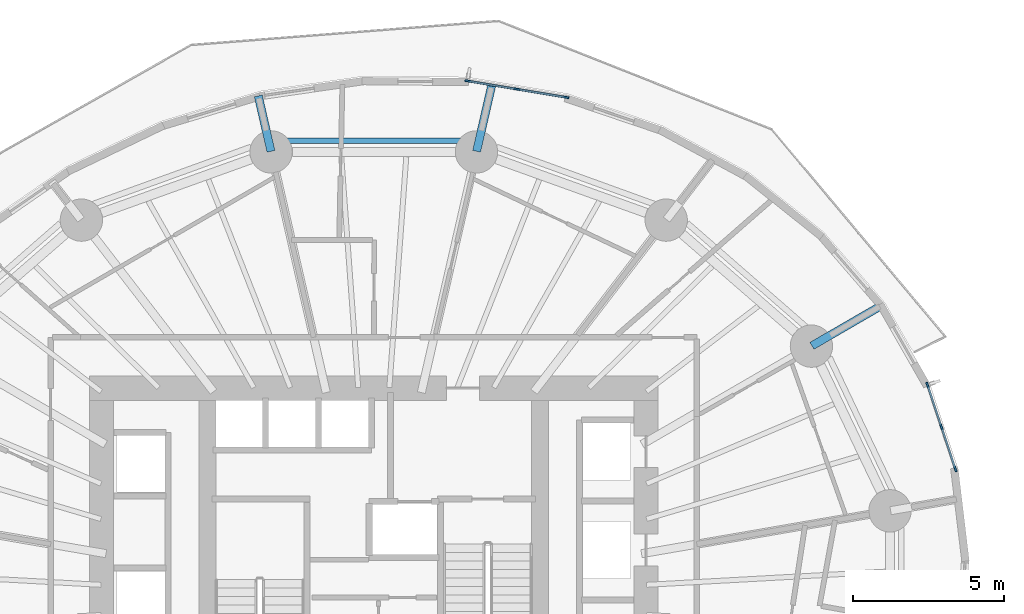
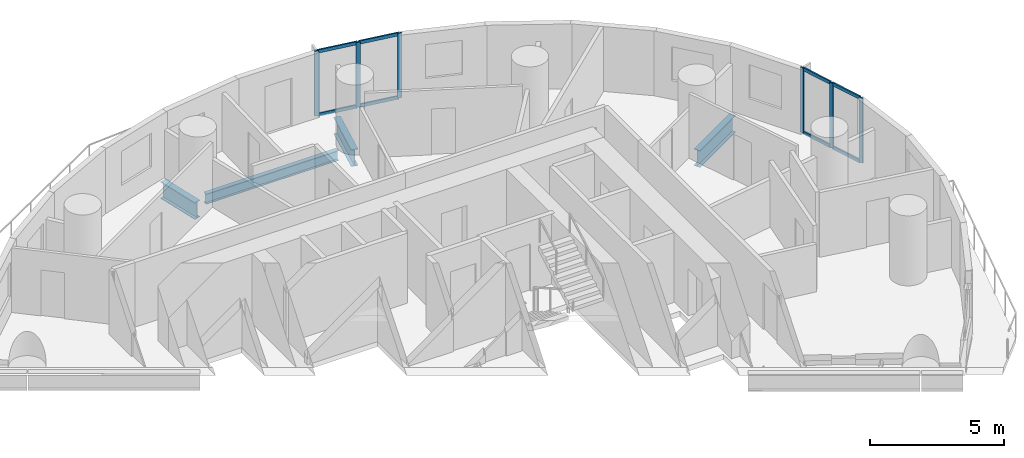
# One storey, part 3 of 13: 14 members, 4 beams, 2 elements without a shape of their own.
"""IFC4 building model written with IfcOpenShell, lengths in metres."""

from ifc_helpers import new_model, si_unit, direction, frame, origin, origin_2d, place, context, subcontext, project, spatial, rectangle, i_section, extrude, material, material_profile, profile_set, type_object, element, aggregate, save


model = new_model("IFC4")

# Units and contexts
model_context = context("Model", 3, precision=1e-05, world=origin(), true_north=direction((0.0, 1.0)))
body_context = subcontext(model_context, "Body", "Model", "MODEL_VIEW")
ifc_project = project(units=[si_unit("LENGTHUNIT", "METRE"), si_unit("AREAUNIT", "SQUARE_METRE"), si_unit("VOLUMEUNIT", "CUBIC_METRE"), si_unit("PLANEANGLEUNIT", "RADIAN"), si_unit("MASSUNIT", "GRAM", prefix="KILO")], contexts=[model_context])

# Site, building, storey
site_placement = place(None, origin())
site = spatial("IfcSite", under=ifc_project, at=site_placement, CompositionType="ELEMENT")
building_placement = place(site_placement, origin())
building = spatial("IfcBuilding", under=site, at=building_placement, Name="Veldorim Arch Residences", CompositionType="ELEMENT")
storey_placement = place(building_placement, frame((0.0, 0.0, 56.800048828125)))
storey = spatial("IfcBuildingStorey", under=building, at=storey_placement, Name="L16", CompositionType="ELEMENT", Elevation=56.800048828125)

# Beams
ifc_material_1 = material(Name="Steel S355", Category="steel")
ifc_material_profile_1 = material_profile(ifc_material_1, i_section(OverallWidth=0.26806640625, OverallDepth=0.769775390625, WebThickness=0.015625, FlangeThickness=0.025390625, at=origin_2d()), Name="UB762x267x197")
ifc_profile_set_1 = profile_set([ifc_material_profile_1], Name="Steel S355")
beam_type_1 = type_object("IfcBeamType", Name="Structural Steel GIRDER UB762x267x197", PredefinedType="USERDEFINED", material=ifc_profile_set_1)
beam_1_placement = place(storey_placement, frame((46.48486328125, 32.399169921875, -0.625), z_axis=(0.865102620341, 0.501594912534, 0.0), x_axis=(-0.501594912534, 0.865102620341, 0.0)))
element("IfcBeam", 1, at=beam_1_placement, inside=storey, type_object=beam_type_1, Name="L16 radial edge cantilever girder 02", ObjectType="GIRDER", PredefinedType="USERDEFINED", context=body_context, shape_type="SweptSolid", body=[
    extrude(i_section(OverallWidth=0.26806640625, OverallDepth=0.769775390625, WebThickness=0.015625, FlangeThickness=0.025390625, at=origin_2d()), origin(), (0.0, 0.0, 1.0), 2.669677734375),
])
beam_2_placement = place(storey_placement, frame((35.399169921875, 38.829345703125, -0.625), z_axis=(0.223363216183, 0.974735283888, 0.0), x_axis=(-0.974735283888, 0.223363216183, 0.0)))
element("IfcBeam", 2, at=beam_2_placement, inside=storey, type_object=beam_type_1, Name="L16 radial edge cantilever girder 04", ObjectType="GIRDER", PredefinedType="USERDEFINED", context=body_context, shape_type="SweptSolid", body=[
    extrude(i_section(OverallWidth=0.26806640625, OverallDepth=0.769775390625, WebThickness=0.015625, FlangeThickness=0.025390625, at=origin_2d()), origin(), (0.0, 0.0, 1.0), 2.24072265625),
])
beam_3_placement = place(storey_placement, frame((28.600830078125, 38.829345703125, -0.625), z_axis=(-0.223322154624, 0.974744692345, 0.0), x_axis=(-0.974744692345, -0.223322154624, 0.0)))
element("IfcBeam", 3, at=beam_3_placement, inside=storey, type_object=beam_type_1, Name="L16 radial edge cantilever girder 05", ObjectType="GIRDER", PredefinedType="USERDEFINED", context=body_context, shape_type="SweptSolid", body=[
    extrude(i_section(OverallWidth=0.26806640625, OverallDepth=0.769775390625, WebThickness=0.015625, FlangeThickness=0.025390625, at=origin_2d()), origin(), (0.0, 0.0, 1.0), 1.879150390625),
])
ifc_material_2 = material(Name="Steel S355", Category="steel")
ifc_material_profile_2 = material_profile(ifc_material_2, i_section(OverallWidth=0.19140625, OverallDepth=0.4599609375, WebThickness=0.010009765625, FlangeThickness=0.01611328125, at=origin_2d()), Name="UB457x191x82")
ifc_profile_set_2 = profile_set([ifc_material_profile_2], Name="Steel S355")
beam_type_2 = type_object("IfcBeamType", Name="Structural Steel Spandrel UB457x191x82", PredefinedType="SPANDREL", material=ifc_profile_set_2)
beam_4_placement = place(storey_placement, frame((34.863525390625, 39.180419921875, -0.489990234375), z_axis=(-1.0, 0.0, 0.0), x_axis=(0.0, -1.0, 0.0)))
element("IfcBeam", 4, at=beam_4_placement, inside=storey, type_object=beam_type_2, Name="L16 perimeter chord spandrel beam 04", PredefinedType="SPANDREL", context=body_context, shape_type="SweptSolid", body=[
    extrude(i_section(OverallWidth=0.19140625, OverallDepth=0.4599609375, WebThickness=0.010009765625, FlangeThickness=0.01611328125, at=origin_2d()), origin(), (0.0, 0.0, 1.0), 5.72705078125),
])

# Curtain wall, members
ifc_material_3 = material(Name="Aluminium", Category="aluminium")
curtain_wall_type = type_object("IfcCurtainWallType", Name="Zone 1 Acoustic Low-E Unitised Curtain Wall", PredefinedType="NOTDEFINED", material=ifc_material_3)
curtain_wall_1_placement = place(storey_placement, origin())
curtain_wall_1 = element("IfcCurtainWall", 5, at=curtain_wall_1_placement, inside=storey, type_object=curtain_wall_type, Name="L16 unitised curtain wall bay 01", PredefinedType="NOTDEFINED")
ifc_material_4 = material(Name="Aluminium", Category="aluminium")
ifc_material_profile_3 = material_profile(ifc_material_4, rectangle(XDim=0.06494140625, YDim=0.175048828125, at=origin_2d()), Name="ALU_MUL_65x175")
ifc_profile_set_3 = profile_set([ifc_material_profile_3], Name="Aluminium")
member_type_1 = type_object("IfcMemberType", Name="Zone 1 Acoustic Low-E Unitised Curtain Wall Mullion 65x175", PredefinedType="MULLION", material=ifc_profile_set_3)
member_1_placement = place(storey_placement, frame((50.302978515625, 31.109130859375, 0.0), z_axis=(0.0, 0.0, 1.0), x_axis=(0.949145327477, 0.314838287583, 0.0)))
member_1 = element("IfcMember", 6, at=member_1_placement, type_object=member_type_1, Name="CW-Z1 mullion 1", PredefinedType="MULLION", context=body_context, shape_type="SweptSolid", body=[
    extrude(rectangle(XDim=0.06494140625, YDim=0.175048828125, at=origin_2d()), origin(), (0.0, 0.0, 1.0), 2.9599609375),
])
member_2_placement = place(storey_placement, frame((50.76513671875, 29.715576171875, 0.0), z_axis=(0.0, 0.0, 1.0), x_axis=(0.949145327477, 0.314838287583, 0.0)))
member_2 = element("IfcMember", 7, at=member_2_placement, type_object=member_type_1, Name="CW-Z1 mullion 2", PredefinedType="MULLION", context=body_context, shape_type="SweptSolid", body=[
    extrude(rectangle(XDim=0.06494140625, YDim=0.175048828125, at=origin_2d()), origin(), (0.0, 0.0, 1.0), 2.9599609375),
])
member_3_placement = place(storey_placement, frame((51.2275390625, 28.32177734375, 0.0), z_axis=(0.0, 0.0, 1.0), x_axis=(0.949145327477, 0.314838287583, 0.0)))
member_3 = element("IfcMember", 8, at=member_3_placement, type_object=member_type_1, Name="CW-Z1 mullion 3", PredefinedType="MULLION", context=body_context, shape_type="SweptSolid", body=[
    extrude(rectangle(XDim=0.06494140625, YDim=0.175048828125, at=origin_2d()), origin(), (0.0, 0.0, 1.0), 2.9599609375),
])

curtain_wall_2_placement = place(storey_placement, origin())
curtain_wall_2 = element("IfcCurtainWall", 9, at=curtain_wall_2_placement, inside=storey, type_object=curtain_wall_type, Name="L16 unitised curtain wall bay 07", PredefinedType="NOTDEFINED")
member_4_placement = place(storey_placement, frame((35.100341796875, 41.156494140625, 0.0), z_axis=(0.0, 0.0, 1.0), x_axis=(0.164211592169, 0.98642513806, 0.0)))
member_4 = element("IfcMember", 10, at=member_4_placement, type_object=member_type_1, Name="CW-Z1 mullion 1", PredefinedType="MULLION", context=body_context, shape_type="SweptSolid", body=[
    extrude(rectangle(XDim=0.06494140625, YDim=0.175048828125, at=origin_2d()), origin(), (0.0, 0.0, 1.0), 2.9599609375),
])
member_5_placement = place(storey_placement, frame((36.73291015625, 40.884765625, 0.0), z_axis=(0.0, 0.0, 1.0), x_axis=(0.164211592169, 0.98642513806, 0.0)))
member_5 = element("IfcMember", 11, at=member_5_placement, type_object=member_type_1, Name="CW-Z1 mullion 2", PredefinedType="MULLION", context=body_context, shape_type="SweptSolid", body=[
    extrude(rectangle(XDim=0.06494140625, YDim=0.175048828125, at=origin_2d()), origin(), (0.0, 0.0, 1.0), 2.9599609375),
])
member_6_placement = place(storey_placement, frame((38.365234375, 40.613037109375, 0.0), z_axis=(0.0, 0.0, 1.0), x_axis=(0.164211592169, 0.98642513806, 0.0)))
member_6 = element("IfcMember", 12, at=member_6_placement, type_object=member_type_1, Name="CW-Z1 mullion 3", PredefinedType="MULLION", context=body_context, shape_type="SweptSolid", body=[
    extrude(rectangle(XDim=0.06494140625, YDim=0.175048828125, at=origin_2d()), origin(), (0.0, 0.0, 1.0), 2.9599609375),
])

# Member
ifc_material_5 = material(Name="Aluminium", Category="aluminium")
ifc_material_profile_4 = material_profile(ifc_material_5, rectangle(XDim=0.06494140625, YDim=0.14990234375, at=origin_2d()), Name="ALU_TRN_65x150")
ifc_profile_set_4 = profile_set([ifc_material_profile_4], Name="Aluminium")
member_type_2 = type_object("IfcMemberType", Name="Zone 1 Acoustic Low-E Unitised Curtain Wall Transom 65x150", PredefinedType="USERDEFINED", material=ifc_profile_set_4)
member_7_placement = place(storey_placement, frame((50.313232421875, 31.078369140625, 0.032470703125), z_axis=(0.314870541877, -0.949134627889, 0.0), x_axis=(0.949134627889, 0.314870541877, 0.0)))
member_7 = element("IfcMember", 13, at=member_7_placement, type_object=member_type_2, Name="CW-Z1 transom 1.1", ObjectType="TRANSOM", PredefinedType="USERDEFINED", context=body_context, shape_type="SweptSolid", body=[
    extrude(rectangle(XDim=0.06494140625, YDim=0.14990234375, at=origin_2d()), origin(), (0.0, 0.0, 1.0), 1.4033203125),
])

member_8_placement = place(storey_placement, frame((50.313232421875, 31.078369140625, 2.927490234375), z_axis=(0.314870541877, -0.949134627889, 0.0), x_axis=(0.949134627889, 0.314870541877, 0.0)))
member_8 = element("IfcMember", 14, at=member_8_placement, type_object=member_type_2, Name="CW-Z1 transom 1.2", ObjectType="TRANSOM", PredefinedType="USERDEFINED", context=body_context, shape_type="SweptSolid", body=[
    extrude(rectangle(XDim=0.06494140625, YDim=0.14990234375, at=origin_2d()), origin(), (0.0, 0.0, 1.0), 1.4033203125),
])

member_9_placement = place(storey_placement, frame((50.775390625, 29.6845703125, 0.032470703125), z_axis=(0.314870541877, -0.949134627889, 0.0), x_axis=(0.949134627889, 0.314870541877, 0.0)))
member_9 = element("IfcMember", 15, at=member_9_placement, type_object=member_type_2, Name="CW-Z1 transom 2.1", ObjectType="TRANSOM", PredefinedType="USERDEFINED", context=body_context, shape_type="SweptSolid", body=[
    extrude(rectangle(XDim=0.06494140625, YDim=0.14990234375, at=origin_2d()), origin(), (0.0, 0.0, 1.0), 1.4033203125),
])

member_10_placement = place(storey_placement, frame((50.775390625, 29.6845703125, 2.927490234375), z_axis=(0.314870541877, -0.949134627889, 0.0), x_axis=(0.949134627889, 0.314870541877, 0.0)))
member_10 = element("IfcMember", 16, at=member_10_placement, type_object=member_type_2, Name="CW-Z1 transom 2.2", ObjectType="TRANSOM", PredefinedType="USERDEFINED", context=body_context, shape_type="SweptSolid", body=[
    extrude(rectangle(XDim=0.06494140625, YDim=0.14990234375, at=origin_2d()), origin(), (0.0, 0.0, 1.0), 1.4033203125),
])

aggregate(curtain_wall_1, [member_1, member_2, member_3, member_7, member_8, member_9, member_10])

member_11_placement = place(storey_placement, frame((35.13232421875, 41.151123046875, 0.032470703125), z_axis=(0.986435393672, -0.164149974445, 0.0), x_axis=(0.164149974445, 0.986435393672, 0.0)))
member_11 = element("IfcMember", 17, at=member_11_placement, type_object=member_type_2, Name="CW-Z1 transom 1.1", ObjectType="TRANSOM", PredefinedType="USERDEFINED", context=body_context, shape_type="SweptSolid", body=[
    extrude(rectangle(XDim=0.06494140625, YDim=0.14990234375, at=origin_2d()), origin(), (0.0, 0.0, 1.0), 1.58984375),
])

member_12_placement = place(storey_placement, frame((35.13232421875, 41.151123046875, 2.927490234375), z_axis=(0.986435393672, -0.164149974445, 0.0), x_axis=(0.164149974445, 0.986435393672, 0.0)))
member_12 = element("IfcMember", 18, at=member_12_placement, type_object=member_type_2, Name="CW-Z1 transom 1.2", ObjectType="TRANSOM", PredefinedType="USERDEFINED", context=body_context, shape_type="SweptSolid", body=[
    extrude(rectangle(XDim=0.06494140625, YDim=0.14990234375, at=origin_2d()), origin(), (0.0, 0.0, 1.0), 1.58984375),
])

member_13_placement = place(storey_placement, frame((36.764892578125, 40.87939453125, 0.032470703125), z_axis=(0.986435393672, -0.164149974445, 0.0), x_axis=(0.164149974445, 0.986435393672, 0.0)))
member_13 = element("IfcMember", 19, at=member_13_placement, type_object=member_type_2, Name="CW-Z1 transom 2.1", ObjectType="TRANSOM", PredefinedType="USERDEFINED", context=body_context, shape_type="SweptSolid", body=[
    extrude(rectangle(XDim=0.06494140625, YDim=0.14990234375, at=origin_2d()), origin(), (0.0, 0.0, 1.0), 1.58984375),
])

member_14_placement = place(storey_placement, frame((36.764892578125, 40.87939453125, 2.927490234375), z_axis=(0.986435393672, -0.164149974445, 0.0), x_axis=(0.164149974445, 0.986435393672, 0.0)))
member_14 = element("IfcMember", 20, at=member_14_placement, type_object=member_type_2, Name="CW-Z1 transom 2.2", ObjectType="TRANSOM", PredefinedType="USERDEFINED", context=body_context, shape_type="SweptSolid", body=[
    extrude(rectangle(XDim=0.06494140625, YDim=0.14990234375, at=origin_2d()), origin(), (0.0, 0.0, 1.0), 1.58984375),
])

aggregate(curtain_wall_2, [member_4, member_5, member_6, member_11, member_12, member_13, member_14])

save(model, "model.ifc")
